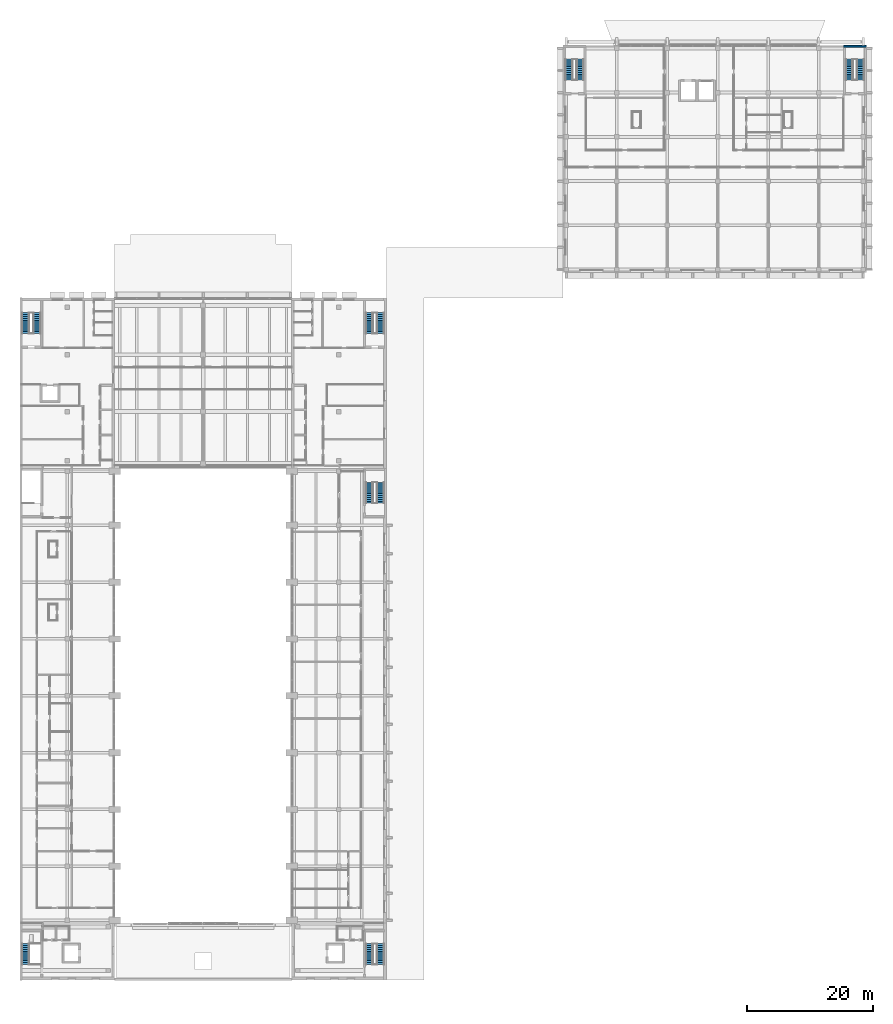
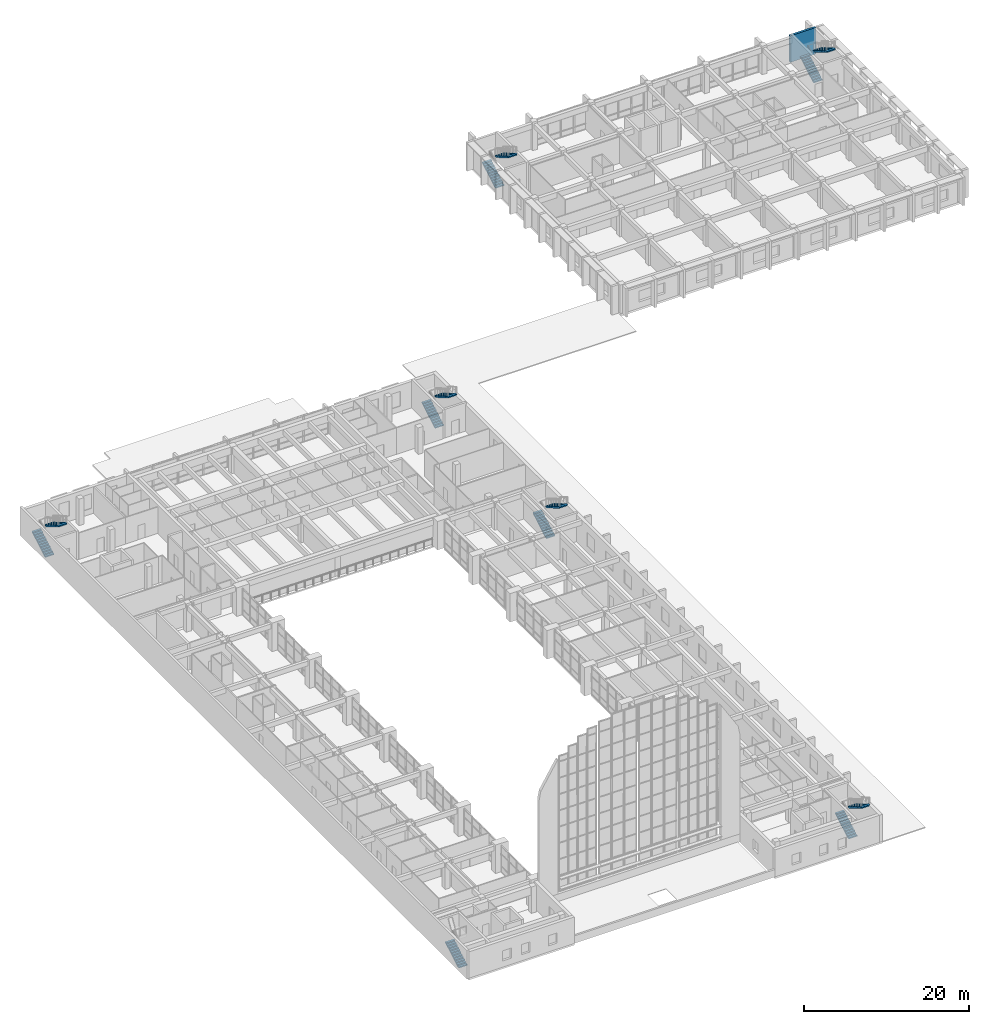
# One storey, part 37 of 45: 13 stair flights, 1 wall, 7 elements without a shape of their own.
"""IFC4 building model written with IfcOpenShell, lengths in metres."""

from ifc_helpers import new_model, si_unit, direction, frame, frame_2d, origin, place, context, subcontext, project, spatial, polyline, rectangle, outline, extrude, material, layer, layer_set, type_object, element, aggregate, save


model = new_model("IFC4")

# Units and contexts
model_context = context("Model", 3, precision=1e-05, world=origin(), true_north=direction((0.0, 1.0)))
body_context = subcontext(model_context, "Body", "Model", "MODEL_VIEW")
ifc_project = project(units=[si_unit("LENGTHUNIT", "METRE"), si_unit("AREAUNIT", "SQUARE_METRE"), si_unit("VOLUMEUNIT", "CUBIC_METRE"), si_unit("PLANEANGLEUNIT", "RADIAN"), si_unit("MASSUNIT", "GRAM", prefix="KILO")], contexts=[model_context])

# Site, building, storey
site_placement = place(None, origin())
site = spatial("IfcSite", under=ifc_project, at=site_placement, CompositionType="ELEMENT")
building_placement = place(site_placement, origin())
building = spatial("IfcBuilding", under=site, at=building_placement, Name="Elmora Arch Market Hall", CompositionType="ELEMENT")
storey_placement = place(building_placement, frame((0.0, 0.0, 6.0)))
storey = spatial("IfcBuildingStorey", under=building, at=storey_placement, Name="L01", CompositionType="ELEMENT", Elevation=6.0)

# Wall
ifc_material_1 = material(Name="Concrete C40/50", Category="concrete")
ifc_layer = layer(ifc_material_1, 0.300048828125)
ifc_layer_set = layer_set([ifc_layer], Name="Concrete C40/50")
wall_type = type_object("IfcWallType", Name="Board-marked concrete wall 300", PredefinedType="SOLIDWALL", material=ifc_layer_set)
wall_placement = place(storey_placement, frame((130.39990234375, 165.85009765625, 0.0), z_axis=(0.0, 0.0, 1.0), x_axis=(1.0, 0.0, 0.0)))
element("IfcWall", 1, at=wall_placement, inside=storey, type_object=wall_type, Name="School stair wall N L01 2", PredefinedType="SOLIDWALL", context=body_context, shape_type="SweptSolid", body=[
    extrude(rectangle(XDim=3.60009765625, YDim=0.300048828125, at=frame_2d((1.800048828125, 0.0))), origin(), (0.0, 0.0, 1.0), 3.89990234375),
])

# Stair, stair flights
ifc_material_2 = material(Name="Concrete C40/50", Category="concrete")
stair_type = type_object("IfcStairType", Name="Exit stair 1200", PredefinedType="TWO_STRAIGHT_RUN_STAIR", material=ifc_material_2)
stair_1_placement = place(storey_placement, origin())
stair_1 = element("IfcStair", 2, at=stair_1_placement, inside=storey, type_object=stair_type, Name="Stair ST-W L01", PredefinedType="TWO_STRAIGHT_RUN_STAIR")
ifc_material_3 = material(Name="Concrete C40/50", Category="concrete")
stair_flight_type = type_object("IfcStairFlightType", Name="Stair flight 1200", PredefinedType="STRAIGHT", material=ifc_material_3)
stair_flight_1_placement = place(storey_placement, frame((0.89990234375, 120.35009765625, 0.0), z_axis=(0.0, 0.0, 1.0), x_axis=(0.0, 1.0, 0.0)))
stair_flight_1 = element("IfcStairFlight", 3, at=stair_flight_1_placement, type_object=stair_flight_type, Name="Stair ST-W L01 flight 1", NumberOfRisers=12, NumberOfTreads=11, PredefinedType="STRAIGHT", RiserHeight=0.175, TreadLength=0.3, context=body_context, shape_type="SweptSolid", body=[
    extrude(outline(polyline([(0.0, 0.0), (0.0, 0.175048828125), (0.300048828125, 0.175048828125), (0.300048828125, 0.35009765625), (0.60009765625, 0.35009765625), (0.60009765625, 0.52490234375), (0.89990234375, 0.52490234375), (0.89990234375, 0.699951171875), (1.199951171875, 0.699951171875), (1.199951171875, 0.875), (1.5, 0.875), (1.5, 1.050048828125), (1.800048828125, 1.050048828125), (1.800048828125, 1.22509765625), (2.10009765625, 1.22509765625), (2.10009765625, 1.39990234375), (2.39990234375, 1.39990234375), (2.39990234375, 1.574951171875), (2.699951171875, 1.574951171875), (2.699951171875, 1.75), (3.0, 1.75), (3.0, 1.925048828125), (3.300048828125, 1.925048828125), (3.300048828125, 2.10009765625), (3.300048828125, 1.75146484375), (0.297607421875, 0.0), (0.0, 0.0)])), frame((0.0, 0.60009765625, 0.0), z_axis=(0.0, -1.0, 0.0), x_axis=(1.0, 0.0, 0.0)), (0.0, 0.0, 1.0), 1.199951171875),
])
stair_flight_2_placement = place(storey_placement, frame((2.699951171875, 123.64990234375, 2.10009765625), z_axis=(0.0, 0.0, 1.0), x_axis=(0.0, -1.0, 0.0)))
stair_flight_2 = element("IfcStairFlight", 4, at=stair_flight_2_placement, type_object=stair_flight_type, Name="Stair ST-W L01 flight 2", NumberOfRisers=12, NumberOfTreads=11, PredefinedType="STRAIGHT", RiserHeight=0.175, TreadLength=0.3, context=body_context, shape_type="SweptSolid", body=[
    extrude(outline(polyline([(0.0, 0.0), (0.0, 0.175048828125), (0.300048828125, 0.175048828125), (0.300048828125, 0.35009765625), (0.60009765625, 0.35009765625), (0.60009765625, 0.52490234375), (0.89990234375, 0.52490234375), (0.89990234375, 0.699951171875), (1.199951171875, 0.699951171875), (1.199951171875, 0.875), (1.5, 0.875), (1.5, 1.050048828125), (1.800048828125, 1.050048828125), (1.800048828125, 1.22509765625), (2.10009765625, 1.22509765625), (2.10009765625, 1.39990234375), (2.39990234375, 1.39990234375), (2.39990234375, 1.574951171875), (2.699951171875, 1.574951171875), (2.699951171875, 1.75), (3.0, 1.75), (3.0, 1.925048828125), (3.300048828125, 1.925048828125), (3.300048828125, 2.10009765625), (3.300048828125, 1.75146484375), (0.297607421875, 0.0), (0.0, 0.0)])), frame((0.0, 0.60009765625, 0.0), z_axis=(0.0, -1.0, 0.0), x_axis=(1.0, 0.0, 0.0)), (0.0, 0.0, 1.0), 1.199951171875),
])
aggregate(stair_1, [stair_flight_1, stair_flight_2])

stair_2_placement = place(storey_placement, origin())
stair_2 = element("IfcStair", 5, at=stair_2_placement, inside=storey, type_object=stair_type, Name="Stair ST-E L01", PredefinedType="TWO_STRAIGHT_RUN_STAIR")
stair_flight_3_placement = place(storey_placement, frame((55.300048828125, 120.35009765625, 0.0), z_axis=(0.0, 0.0, 1.0), x_axis=(0.0, 1.0, 0.0)))
stair_flight_3 = element("IfcStairFlight", 6, at=stair_flight_3_placement, type_object=stair_flight_type, Name="Stair ST-E L01 flight 1", NumberOfRisers=12, NumberOfTreads=11, PredefinedType="STRAIGHT", RiserHeight=0.175, TreadLength=0.3, context=body_context, shape_type="SweptSolid", body=[
    extrude(outline(polyline([(0.0, 0.0), (0.0, 0.175048828125), (0.300048828125, 0.175048828125), (0.300048828125, 0.35009765625), (0.60009765625, 0.35009765625), (0.60009765625, 0.52490234375), (0.89990234375, 0.52490234375), (0.89990234375, 0.699951171875), (1.199951171875, 0.699951171875), (1.199951171875, 0.875), (1.5, 0.875), (1.5, 1.050048828125), (1.800048828125, 1.050048828125), (1.800048828125, 1.22509765625), (2.10009765625, 1.22509765625), (2.10009765625, 1.39990234375), (2.39990234375, 1.39990234375), (2.39990234375, 1.574951171875), (2.699951171875, 1.574951171875), (2.699951171875, 1.75), (3.0, 1.75), (3.0, 1.925048828125), (3.300048828125, 1.925048828125), (3.300048828125, 2.10009765625), (3.300048828125, 1.75146484375), (0.297607421875, 0.0), (0.0, 0.0)])), frame((0.0, 0.60009765625, 0.0), z_axis=(0.0, -1.0, 0.0), x_axis=(1.0, 0.0, 0.0)), (0.0, 0.0, 1.0), 1.199951171875),
])
stair_flight_4_placement = place(storey_placement, frame((57.10009765625, 123.64990234375, 2.10009765625), z_axis=(0.0, 0.0, 1.0), x_axis=(0.0, -1.0, 0.0)))
stair_flight_4 = element("IfcStairFlight", 7, at=stair_flight_4_placement, type_object=stair_flight_type, Name="Stair ST-E L01 flight 2", NumberOfRisers=12, NumberOfTreads=11, PredefinedType="STRAIGHT", RiserHeight=0.175, TreadLength=0.3, context=body_context, shape_type="SweptSolid", body=[
    extrude(outline(polyline([(0.0, 0.0), (0.0, 0.175048828125), (0.300048828125, 0.175048828125), (0.300048828125, 0.35009765625), (0.60009765625, 0.35009765625), (0.60009765625, 0.52490234375), (0.89990234375, 0.52490234375), (0.89990234375, 0.699951171875), (1.199951171875, 0.699951171875), (1.199951171875, 0.875), (1.5, 0.875), (1.5, 1.050048828125), (1.800048828125, 1.050048828125), (1.800048828125, 1.22509765625), (2.10009765625, 1.22509765625), (2.10009765625, 1.39990234375), (2.39990234375, 1.39990234375), (2.39990234375, 1.574951171875), (2.699951171875, 1.574951171875), (2.699951171875, 1.75), (3.0, 1.75), (3.0, 1.925048828125), (3.300048828125, 1.925048828125), (3.300048828125, 2.10009765625), (3.300048828125, 1.75146484375), (0.297607421875, 0.0), (0.0, 0.0)])), frame((0.0, 0.60009765625, 0.0), z_axis=(0.0, -1.0, 0.0), x_axis=(1.0, 0.0, 0.0)), (0.0, 0.0, 1.0), 1.199951171875),
])
aggregate(stair_2, [stair_flight_3, stair_flight_4])

# Stair, stair flight
stair_3_placement = place(storey_placement, origin())
stair_3 = element("IfcStair", 8, at=stair_3_placement, inside=storey, type_object=stair_type, Name="Stair ST-WS L01", PredefinedType="TWO_STRAIGHT_RUN_STAIR")
stair_flight_5_placement = place(storey_placement, frame((0.89990234375, 20.449951171875, 0.0), z_axis=(0.0, 0.0, 1.0), x_axis=(0.0, 1.0, 0.0)))
stair_flight_5 = element("IfcStairFlight", 9, at=stair_flight_5_placement, type_object=stair_flight_type, Name="Stair ST-WS L01 flight 1", NumberOfRisers=12, NumberOfTreads=11, PredefinedType="STRAIGHT", RiserHeight=0.175, TreadLength=0.3, context=body_context, shape_type="SweptSolid", body=[
    extrude(outline(polyline([(0.0, 0.0), (0.0, 0.175048828125), (0.300048828125, 0.175048828125), (0.300048828125, 0.35009765625), (0.60009765625, 0.35009765625), (0.60009765625, 0.52490234375), (0.89990234375, 0.52490234375), (0.89990234375, 0.699951171875), (1.199951171875, 0.699951171875), (1.199951171875, 0.875), (1.5, 0.875), (1.5, 1.050048828125), (1.800048828125, 1.050048828125), (1.800048828125, 1.22509765625), (2.10009765625, 1.22509765625), (2.10009765625, 1.39990234375), (2.39990234375, 1.39990234375), (2.39990234375, 1.574951171875), (2.699951171875, 1.574951171875), (2.699951171875, 1.75), (3.0, 1.75), (3.0, 1.925048828125), (3.300048828125, 1.925048828125), (3.300048828125, 2.10009765625), (3.300048828125, 1.75146484375), (0.297607421875, 0.0), (0.0, 0.0)])), frame((0.0, 0.60009765625, 0.0), z_axis=(0.0, -1.0, 0.0), x_axis=(1.0, 0.0, 0.0)), (0.0, 0.0, 1.0), 1.199951171875),
])
aggregate(stair_3, [stair_flight_5])

# Stair, stair flights
stair_4_placement = place(storey_placement, origin())
stair_4 = element("IfcStair", 10, at=stair_4_placement, inside=storey, type_object=stair_type, Name="Stair ST-ES L01", PredefinedType="TWO_STRAIGHT_RUN_STAIR")
stair_flight_6_placement = place(storey_placement, frame((55.300048828125, 20.449951171875, 0.0), z_axis=(0.0, 0.0, 1.0), x_axis=(0.0, 1.0, 0.0)))
stair_flight_6 = element("IfcStairFlight", 11, at=stair_flight_6_placement, type_object=stair_flight_type, Name="Stair ST-ES L01 flight 1", NumberOfRisers=12, NumberOfTreads=11, PredefinedType="STRAIGHT", RiserHeight=0.175, TreadLength=0.3, context=body_context, shape_type="SweptSolid", body=[
    extrude(outline(polyline([(0.0, 0.0), (0.0, 0.175048828125), (0.300048828125, 0.175048828125), (0.300048828125, 0.35009765625), (0.60009765625, 0.35009765625), (0.60009765625, 0.52490234375), (0.89990234375, 0.52490234375), (0.89990234375, 0.699951171875), (1.199951171875, 0.699951171875), (1.199951171875, 0.875), (1.5, 0.875), (1.5, 1.050048828125), (1.800048828125, 1.050048828125), (1.800048828125, 1.22509765625), (2.10009765625, 1.22509765625), (2.10009765625, 1.39990234375), (2.39990234375, 1.39990234375), (2.39990234375, 1.574951171875), (2.699951171875, 1.574951171875), (2.699951171875, 1.75), (3.0, 1.75), (3.0, 1.925048828125), (3.300048828125, 1.925048828125), (3.300048828125, 2.10009765625), (3.300048828125, 1.75146484375), (0.297607421875, 0.0), (0.0, 0.0)])), frame((0.0, 0.60009765625, 0.0), z_axis=(0.0, -1.0, 0.0), x_axis=(1.0, 0.0, 0.0)), (0.0, 0.0, 1.0), 1.199951171875),
])
stair_flight_7_placement = place(storey_placement, frame((57.10009765625, 23.75, 2.10009765625), z_axis=(0.0, 0.0, 1.0), x_axis=(0.0, -1.0, 0.0)))
stair_flight_7 = element("IfcStairFlight", 12, at=stair_flight_7_placement, type_object=stair_flight_type, Name="Stair ST-ES L01 flight 2", NumberOfRisers=12, NumberOfTreads=11, PredefinedType="STRAIGHT", RiserHeight=0.175, TreadLength=0.3, context=body_context, shape_type="SweptSolid", body=[
    extrude(outline(polyline([(0.0, 0.0), (0.0, 0.175048828125), (0.300048828125, 0.175048828125), (0.300048828125, 0.35009765625), (0.60009765625, 0.35009765625), (0.60009765625, 0.52490234375), (0.89990234375, 0.52490234375), (0.89990234375, 0.699951171875), (1.199951171875, 0.699951171875), (1.199951171875, 0.875), (1.5, 0.875), (1.5, 1.050048828125), (1.800048828125, 1.050048828125), (1.800048828125, 1.22509765625), (2.10009765625, 1.22509765625), (2.10009765625, 1.39990234375), (2.39990234375, 1.39990234375), (2.39990234375, 1.574951171875), (2.699951171875, 1.574951171875), (2.699951171875, 1.75), (3.0, 1.75), (3.0, 1.925048828125), (3.300048828125, 1.925048828125), (3.300048828125, 2.10009765625), (3.300048828125, 1.75146484375), (0.297607421875, 0.0), (0.0, 0.0)])), frame((0.0, 0.60009765625, 0.0), z_axis=(0.0, -1.0, 0.0), x_axis=(1.0, 0.0, 0.0)), (0.0, 0.0, 1.0), 1.199951171875),
])
aggregate(stair_4, [stair_flight_6, stair_flight_7])

stair_5_placement = place(storey_placement, origin())
stair_5 = element("IfcStair", 13, at=stair_5_placement, inside=storey, type_object=stair_type, Name="Stair ST-EN L01", PredefinedType="TWO_STRAIGHT_RUN_STAIR")
stair_flight_8_placement = place(storey_placement, frame((55.300048828125, 93.5, 0.0), z_axis=(0.0, 0.0, 1.0), x_axis=(0.0, 1.0, 0.0)))
stair_flight_8 = element("IfcStairFlight", 14, at=stair_flight_8_placement, type_object=stair_flight_type, Name="Stair ST-EN L01 flight 1", NumberOfRisers=12, NumberOfTreads=11, PredefinedType="STRAIGHT", RiserHeight=0.175, TreadLength=0.3, context=body_context, shape_type="SweptSolid", body=[
    extrude(outline(polyline([(0.0, 0.0), (0.0, 0.175048828125), (0.300048828125, 0.175048828125), (0.300048828125, 0.35009765625), (0.60009765625, 0.35009765625), (0.60009765625, 0.52490234375), (0.89990234375, 0.52490234375), (0.89990234375, 0.699951171875), (1.199951171875, 0.699951171875), (1.199951171875, 0.875), (1.5, 0.875), (1.5, 1.050048828125), (1.800048828125, 1.050048828125), (1.800048828125, 1.22509765625), (2.10009765625, 1.22509765625), (2.10009765625, 1.39990234375), (2.39990234375, 1.39990234375), (2.39990234375, 1.574951171875), (2.699951171875, 1.574951171875), (2.699951171875, 1.75), (3.0, 1.75), (3.0, 1.925048828125), (3.300048828125, 1.925048828125), (3.300048828125, 2.10009765625), (3.300048828125, 1.75146484375), (0.297607421875, 0.0), (0.0, 0.0)])), frame((0.0, 0.60009765625, 0.0), z_axis=(0.0, -1.0, 0.0), x_axis=(1.0, 0.0, 0.0)), (0.0, 0.0, 1.0), 1.199951171875),
])
stair_flight_9_placement = place(storey_placement, frame((57.10009765625, 96.800048828125, 2.10009765625), z_axis=(0.0, 0.0, 1.0), x_axis=(0.0, -1.0, 0.0)))
stair_flight_9 = element("IfcStairFlight", 15, at=stair_flight_9_placement, type_object=stair_flight_type, Name="Stair ST-EN L01 flight 2", NumberOfRisers=12, NumberOfTreads=11, PredefinedType="STRAIGHT", RiserHeight=0.175, TreadLength=0.3, context=body_context, shape_type="SweptSolid", body=[
    extrude(outline(polyline([(0.0, 0.0), (0.0, 0.175048828125), (0.300048828125, 0.175048828125), (0.300048828125, 0.35009765625), (0.60009765625, 0.35009765625), (0.60009765625, 0.52490234375), (0.89990234375, 0.52490234375), (0.89990234375, 0.699951171875), (1.199951171875, 0.699951171875), (1.199951171875, 0.875), (1.5, 0.875), (1.5, 1.050048828125), (1.800048828125, 1.050048828125), (1.800048828125, 1.22509765625), (2.10009765625, 1.22509765625), (2.10009765625, 1.39990234375), (2.39990234375, 1.39990234375), (2.39990234375, 1.574951171875), (2.699951171875, 1.574951171875), (2.699951171875, 1.75), (3.0, 1.75), (3.0, 1.925048828125), (3.300048828125, 1.925048828125), (3.300048828125, 2.10009765625), (3.300048828125, 1.75146484375), (0.297607421875, 0.0), (0.0, 0.0)])), frame((0.0, 0.60009765625, 0.0), z_axis=(0.0, -1.0, 0.0), x_axis=(1.0, 0.0, 0.0)), (0.0, 0.0, 1.0), 1.199951171875),
])
aggregate(stair_5, [stair_flight_8, stair_flight_9])

stair_6_placement = place(storey_placement, origin())
stair_6 = element("IfcStair", 16, at=stair_6_placement, inside=storey, type_object=stair_type, Name="Stair ST-SCW L01", PredefinedType="TWO_STRAIGHT_RUN_STAIR")
stair_flight_10_placement = place(storey_placement, frame((86.89990234375, 160.5, 0.0), z_axis=(0.0, 0.0, 1.0), x_axis=(0.0, 1.0, 0.0)))
stair_flight_10 = element("IfcStairFlight", 17, at=stair_flight_10_placement, type_object=stair_flight_type, Name="Stair ST-SCW L01 flight 1", NumberOfRisers=12, NumberOfTreads=11, PredefinedType="STRAIGHT", RiserHeight=0.175, TreadLength=0.3, context=body_context, shape_type="SweptSolid", body=[
    extrude(outline(polyline([(0.0, 0.0), (0.0, 0.175048828125), (0.300048828125, 0.175048828125), (0.300048828125, 0.35009765625), (0.60009765625, 0.35009765625), (0.60009765625, 0.52490234375), (0.89990234375, 0.52490234375), (0.89990234375, 0.699951171875), (1.199951171875, 0.699951171875), (1.199951171875, 0.875), (1.5, 0.875), (1.5, 1.050048828125), (1.800048828125, 1.050048828125), (1.800048828125, 1.22509765625), (2.10009765625, 1.22509765625), (2.10009765625, 1.39990234375), (2.39990234375, 1.39990234375), (2.39990234375, 1.574951171875), (2.699951171875, 1.574951171875), (2.699951171875, 1.75), (3.0, 1.75), (3.0, 1.925048828125), (3.300048828125, 1.925048828125), (3.300048828125, 2.10009765625), (3.300048828125, 1.75146484375), (0.297607421875, 0.0), (0.0, 0.0)])), frame((0.0, 0.60009765625, 0.0), z_axis=(0.0, -1.0, 0.0), x_axis=(1.0, 0.0, 0.0)), (0.0, 0.0, 1.0), 1.199951171875),
])
stair_flight_11_placement = place(storey_placement, frame((88.699951171875, 163.800048828125, 2.10009765625), z_axis=(0.0, 0.0, 1.0), x_axis=(0.0, -1.0, 0.0)))
stair_flight_11 = element("IfcStairFlight", 18, at=stair_flight_11_placement, type_object=stair_flight_type, Name="Stair ST-SCW L01 flight 2", NumberOfRisers=12, NumberOfTreads=11, PredefinedType="STRAIGHT", RiserHeight=0.175, TreadLength=0.3, context=body_context, shape_type="SweptSolid", body=[
    extrude(outline(polyline([(0.0, 0.0), (0.0, 0.175048828125), (0.300048828125, 0.175048828125), (0.300048828125, 0.35009765625), (0.60009765625, 0.35009765625), (0.60009765625, 0.52490234375), (0.89990234375, 0.52490234375), (0.89990234375, 0.699951171875), (1.199951171875, 0.699951171875), (1.199951171875, 0.875), (1.5, 0.875), (1.5, 1.050048828125), (1.800048828125, 1.050048828125), (1.800048828125, 1.22509765625), (2.10009765625, 1.22509765625), (2.10009765625, 1.39990234375), (2.39990234375, 1.39990234375), (2.39990234375, 1.574951171875), (2.699951171875, 1.574951171875), (2.699951171875, 1.75), (3.0, 1.75), (3.0, 1.925048828125), (3.300048828125, 1.925048828125), (3.300048828125, 2.10009765625), (3.300048828125, 1.75146484375), (0.297607421875, 0.0), (0.0, 0.0)])), frame((0.0, 0.60009765625, 0.0), z_axis=(0.0, -1.0, 0.0), x_axis=(1.0, 0.0, 0.0)), (0.0, 0.0, 1.0), 1.199951171875),
])
aggregate(stair_6, [stair_flight_10, stair_flight_11])

stair_7_placement = place(storey_placement, origin())
stair_7 = element("IfcStair", 19, at=stair_7_placement, inside=storey, type_object=stair_type, Name="Stair ST-SCE L01", PredefinedType="TWO_STRAIGHT_RUN_STAIR")
stair_flight_12_placement = place(storey_placement, frame((131.300048828125, 160.5, 0.0), z_axis=(0.0, 0.0, 1.0), x_axis=(0.0, 1.0, 0.0)))
stair_flight_12 = element("IfcStairFlight", 20, at=stair_flight_12_placement, type_object=stair_flight_type, Name="Stair ST-SCE L01 flight 1", NumberOfRisers=12, NumberOfTreads=11, PredefinedType="STRAIGHT", RiserHeight=0.175, TreadLength=0.3, context=body_context, shape_type="SweptSolid", body=[
    extrude(outline(polyline([(0.0, 0.0), (0.0, 0.175048828125), (0.300048828125, 0.175048828125), (0.300048828125, 0.35009765625), (0.60009765625, 0.35009765625), (0.60009765625, 0.52490234375), (0.89990234375, 0.52490234375), (0.89990234375, 0.699951171875), (1.199951171875, 0.699951171875), (1.199951171875, 0.875), (1.5, 0.875), (1.5, 1.050048828125), (1.800048828125, 1.050048828125), (1.800048828125, 1.22509765625), (2.10009765625, 1.22509765625), (2.10009765625, 1.39990234375), (2.39990234375, 1.39990234375), (2.39990234375, 1.574951171875), (2.699951171875, 1.574951171875), (2.699951171875, 1.75), (3.0, 1.75), (3.0, 1.925048828125), (3.300048828125, 1.925048828125), (3.300048828125, 2.10009765625), (3.300048828125, 1.75146484375), (0.297607421875, 0.0), (0.0, 0.0)])), frame((0.0, 0.60009765625, 0.0), z_axis=(0.0, -1.0, 0.0), x_axis=(1.0, 0.0, 0.0)), (0.0, 0.0, 1.0), 1.199951171875),
])
stair_flight_13_placement = place(storey_placement, frame((133.10009765625, 163.800048828125, 2.10009765625), z_axis=(0.0, 0.0, 1.0), x_axis=(0.0, -1.0, 0.0)))
stair_flight_13 = element("IfcStairFlight", 21, at=stair_flight_13_placement, type_object=stair_flight_type, Name="Stair ST-SCE L01 flight 2", NumberOfRisers=12, NumberOfTreads=11, PredefinedType="STRAIGHT", RiserHeight=0.175, TreadLength=0.3, context=body_context, shape_type="SweptSolid", body=[
    extrude(outline(polyline([(0.0, 0.0), (0.0, 0.175048828125), (0.300048828125, 0.175048828125), (0.300048828125, 0.35009765625), (0.60009765625, 0.35009765625), (0.60009765625, 0.52490234375), (0.89990234375, 0.52490234375), (0.89990234375, 0.699951171875), (1.199951171875, 0.699951171875), (1.199951171875, 0.875), (1.5, 0.875), (1.5, 1.050048828125), (1.800048828125, 1.050048828125), (1.800048828125, 1.22509765625), (2.10009765625, 1.22509765625), (2.10009765625, 1.39990234375), (2.39990234375, 1.39990234375), (2.39990234375, 1.574951171875), (2.699951171875, 1.574951171875), (2.699951171875, 1.75), (3.0, 1.75), (3.0, 1.925048828125), (3.300048828125, 1.925048828125), (3.300048828125, 2.10009765625), (3.300048828125, 1.75146484375), (0.297607421875, 0.0), (0.0, 0.0)])), frame((0.0, 0.60009765625, 0.0), z_axis=(0.0, -1.0, 0.0), x_axis=(1.0, 0.0, 0.0)), (0.0, 0.0, 1.0), 1.199951171875),
])
aggregate(stair_7, [stair_flight_12, stair_flight_13])

save(model, "model.ifc")
